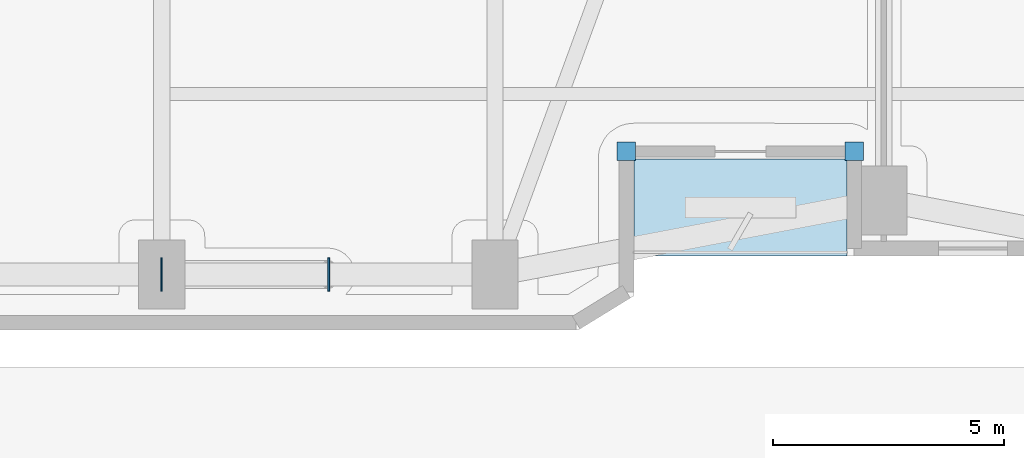
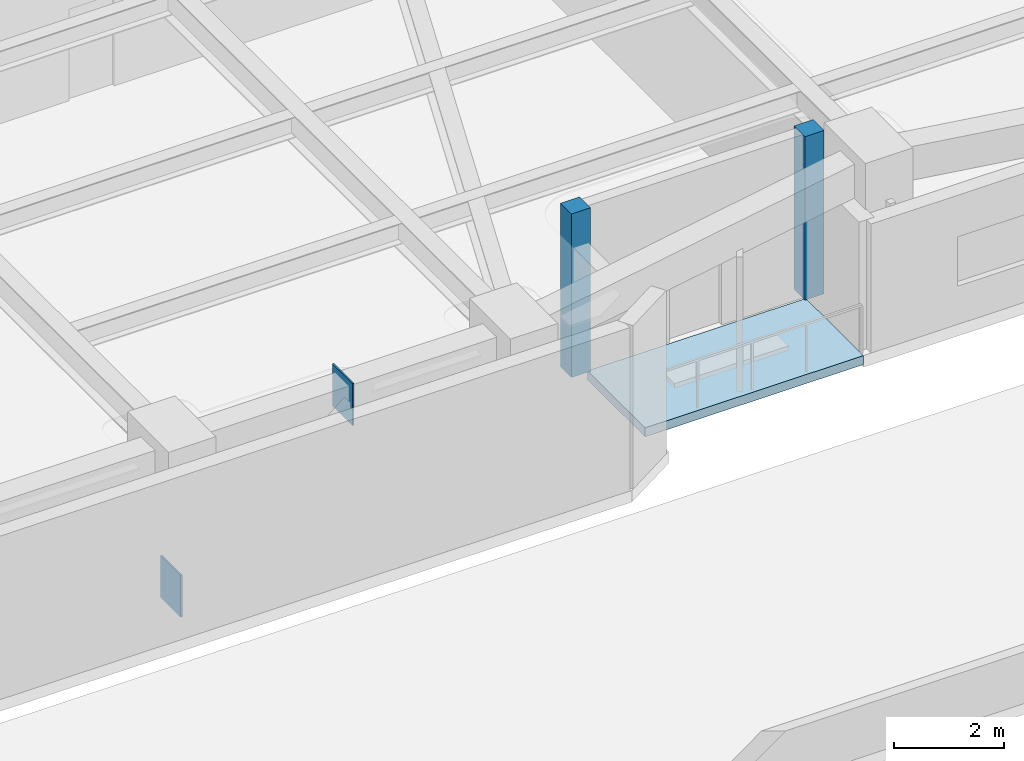
# One storey, part 22 of 38: 4 plates, 1 slab.
"""IFC4 building model written with IfcOpenShell, lengths in metres."""

from ifc_helpers import new_model, si_unit, direction, frame, origin, origin_2d, place, context, subcontext, project, spatial, polyline, rectangle, outline, extrude, material, layer, layer_set, type_object, element, save


model = new_model("IFC4")

# Units and contexts
model_context = context("Model", 3, precision=1e-05, world=origin(), true_north=direction((0.0, 1.0)))
body_context = subcontext(model_context, "Body", "Model", "MODEL_VIEW")
ifc_project = project(units=[si_unit("LENGTHUNIT", "METRE"), si_unit("AREAUNIT", "SQUARE_METRE"), si_unit("VOLUMEUNIT", "CUBIC_METRE"), si_unit("PLANEANGLEUNIT", "RADIAN"), si_unit("MASSUNIT", "GRAM", prefix="KILO")], contexts=[model_context])

# Site, building, storey
site_placement = place(None, origin())
site = spatial("IfcSite", under=ifc_project, at=site_placement, CompositionType="ELEMENT")
building_placement = place(site_placement, origin())
building = spatial("IfcBuilding", under=site, at=building_placement, Name="Kiyonajd Concourse Tower", CompositionType="ELEMENT")
storey_placement = place(building_placement, frame((0.0, 0.0, 21.60009765625)))
storey = spatial("IfcBuildingStorey", under=building, at=storey_placement, Name="L06", CompositionType="ELEMENT", Elevation=21.60009765625)

# Plates
ifc_material_1 = material(Name="Steel ASTM A572 Grade 50", Category="steel")
ifc_layer_1 = layer(ifc_material_1, 0.028076171875)
ifc_layer_set_1 = layer_set([ifc_layer_1], Name="Steel ASTM A572 Grade 50")
plate_type_1 = type_object("IfcPlateType", Name="PL-CAP-450", PredefinedType="USERDEFINED", material=ifc_layer_set_1)
for number, where, z_axis, x_axis, name in (
    (1, (32.3916015625, 10.800048828125, -0.173583984375), (0.0, 0.0, 1.0), (-1.0, 0.0, 0.0), "L06 Hollow Brace End Cap Plate PBS"),
    (2, (36.008544921875, 10.800048828125, 2.830322265625), (0.0, 0.0, 1.0), (1.0, 0.0, 0.0), "L06 Hollow Brace Top Cap Plate PBS"),
):
    element("IfcPlate", number, at=place(storey_placement, frame(where, z_axis=z_axis, x_axis=x_axis)), inside=storey, type_object=plate_type_1, Name=name, ObjectType="CAP PLATE", PredefinedType="USERDEFINED", context=body_context, shape_type="SweptSolid", body=[
        extrude(rectangle(XDim=0.035888671875, YDim=0.72998046875, at=origin_2d()), origin(), (0.0, 0.0, 1.0), 0.93310546875),
    ])
ifc_material_2 = material(Name="Thermally Broken Anodised Aluminium", Category="aluminium")
ifc_layer_2 = layer(ifc_material_2, 0.39990234375)
ifc_layer_set_2 = layer_set([ifc_layer_2], Name="Thermally Broken Anodised Aluminium")
plate_type_2 = type_object("IfcPlateType", Name="PL-JMB-400", PredefinedType="USERDEFINED", material=ifc_layer_set_2)
for number, where, z_axis, x_axis, name in (
    (3, (47.360107421875, 13.4599609375, 0.0), (0.0, 0.0, 1.0), (1.0, 0.0, 0.0), "L06 Facade Jamb Closure Plate 13"),
    (4, (42.43994140625, 13.4599609375, 0.0), (0.0, 0.0, 1.0), (1.0, 0.0, 0.0), "L06 Facade Jamb Closure Plate 14"),
):
    element("IfcPlate", number, at=place(storey_placement, frame(where, z_axis=z_axis, x_axis=x_axis)), inside=storey, type_object=plate_type_2, Name=name, ObjectType="JAMB PLATE", PredefinedType="USERDEFINED", context=body_context, shape_type="SweptSolid", body=[
        extrude(rectangle(XDim=0.39990234375, YDim=0.39990234375, at=origin_2d()), origin(), (0.0, 0.0, 1.0), 3.639892578125),
    ])

# Slab
ifc_material_3 = material(Name="Precast concrete C50/60", Category="concrete")
ifc_layer_3 = layer(ifc_material_3, 0.199951171875)
ifc_layer_set_3 = layer_set([ifc_layer_3], Name="Precast concrete C50/60")
slab_type = type_object("IfcSlabType", Name="SL-LOG-200", PredefinedType="FLOOR", material=ifc_layer_set_3)
slab_placement = place(storey_placement, frame((0.0, 0.0, -0.2001953125)))
element("IfcSlab", 5, at=slab_placement, inside=storey, type_object=slab_type, Name="L06 Recessed Engawa Loggia Terrace Slab LOG-S", PredefinedType="FLOOR", context=body_context, shape_type="SweptSolid", body=[
    extrude(outline(polyline([(42.60009765625, 11.199951171875), (47.199951171875, 11.199951171875), (47.199951171875, 13.300048828125), (42.60009765625, 13.300048828125), (42.60009765625, 11.199951171875)])), origin(), (0.0, 0.0, 1.0), 0.2001953125),
])

save(model, "model.ifc")
